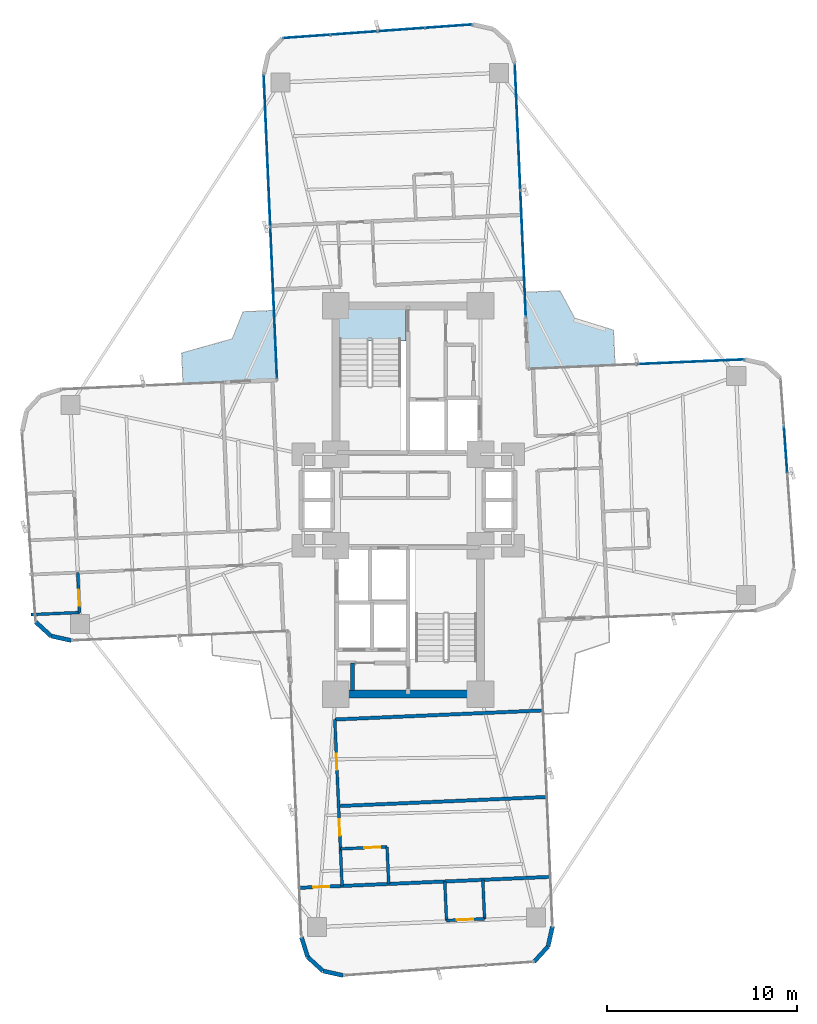
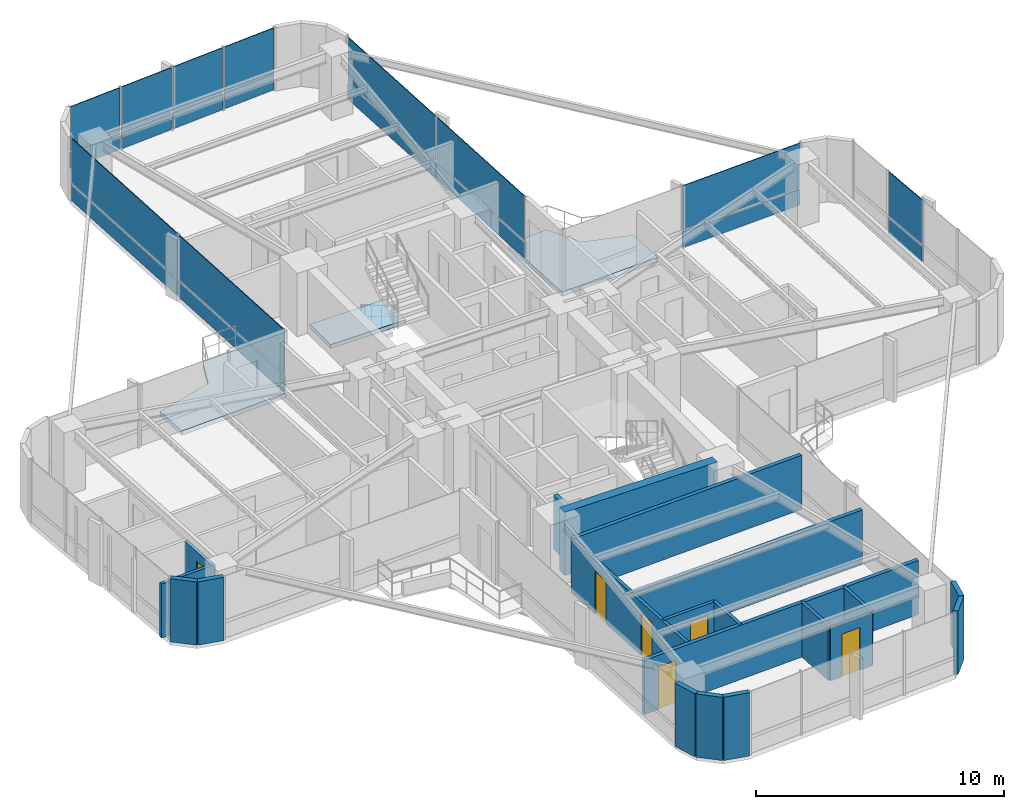
# One storey, part 22 of 26: 20 plates, 20 walls, 6 doors, 3 slabs, 6 openings, 5 elements without a shape of their own.
"""IFC4 building model written with IfcOpenShell, lengths in metres."""

from ifc_helpers import new_model, si_unit, direction, frame, frame_2d, origin, origin_2d, place, context, subcontext, project, spatial, polyline, rectangle, outline, extrude, source, transform, mapped, material, layer, layer_set, type_object, element, fill, aggregate, save


model = new_model("IFC4")

# Units and contexts
model_context = context("Model", 3, precision=1e-05, world=origin(), true_north=direction((0.0, 1.0)))
body_context = subcontext(model_context, "Body", "Model", "MODEL_VIEW")
ifc_project = project(units=[si_unit("LENGTHUNIT", "METRE"), si_unit("AREAUNIT", "SQUARE_METRE"), si_unit("VOLUMEUNIT", "CUBIC_METRE"), si_unit("PLANEANGLEUNIT", "RADIAN"), si_unit("MASSUNIT", "GRAM", prefix="KILO")], contexts=[model_context])

# Site, building, storey
site_placement = place(None, origin())
site = spatial("IfcSite", under=ifc_project, at=site_placement, CompositionType="ELEMENT")
building_placement = place(site_placement, origin())
building = spatial("IfcBuilding", under=site, at=building_placement, Name="Sahyath Konkavel Grand Hotel", CompositionType="ELEMENT")
storey_placement = place(building_placement, frame((0.0, 0.0, 111.449951171875)))
storey = spatial("IfcBuildingStorey", under=building, at=storey_placement, Name="L30", CompositionType="ELEMENT", Elevation=111.449951171875)

# Slabs
ifc_material_1 = material(Name="Concrete C40/50", Category="concrete")
ifc_layer_1 = layer(ifc_material_1, 0.219970703125)
ifc_layer_set_1 = layer_set([ifc_layer_1], Name="Concrete C40/50")
slab_type_1 = type_object("IfcSlabType", Name="SLB-BALCONY-220", PredefinedType="FLOOR", material=ifc_layer_set_1)
slab_1_placement = place(storey_placement, frame((0.0, 0.0, -0.219970703125)))
element("IfcSlab", 1, at=slab_1_placement, inside=storey, type_object=slab_type_1, Name="L30 Winter-Garden Balcony NE", PredefinedType="FLOOR", context=body_context, shape_type="SweptSolid", body=[
    extrude(outline(polyline([(6.305908203125, 6.881591796875), (10.869384765625, 7.080810546875), (10.7890625, 8.9208984375), (8.749755859375, 9.548583984375), (7.969970703125, 10.989990234375), (6.1298828125, 10.909912109375), (6.305908203125, 6.881591796875)])), origin(), (0.0, 0.0, 1.0), 0.219970703125),
])
slab_2_placement = place(storey_placement, frame((0.0, 0.0, -0.219970703125)))
element("IfcSlab", 2, at=slab_2_placement, inside=storey, type_object=slab_type_1, Name="L30 Winter-Garden Balcony NW", PredefinedType="FLOOR", context=body_context, shape_type="SweptSolid", body=[
    extrude(outline(polyline([(-6.881591796875, 6.305908203125), (-7.041015625, 9.955322265625), (-8.66650390625, 9.884521484375), (-9.238037109375, 8.465087890625), (-11.89501953125, 7.7158203125), (-11.823974609375, 6.090087890625), (-6.881591796875, 6.305908203125)])), origin(), (0.0, 0.0, 1.0), 0.219970703125),
])
ifc_layer_2 = layer(ifc_material_1, 0.199951171875)
ifc_layer_set_2 = layer_set([ifc_layer_2], Name="Concrete C40/50")
slab_type_2 = type_object("IfcSlabType", Name="SLB-STAIR-LND", PredefinedType="LANDING", material=ifc_layer_set_2)
slab_3_placement = place(storey_placement, frame((0.0, 0.0, -0.199951171875)))
element("IfcSlab", 3, at=slab_3_placement, inside=storey, type_object=slab_type_2, Name="L30 Stair ST-1 Floor Landing Slab", PredefinedType="LANDING", context=body_context, shape_type="SweptSolid", body=[
    extrude(outline(polyline([(-3.6201171875, 8.35009765625), (-0.10009765625, 8.35009765625), (-0.10009765625, 10.02001953125), (-3.6201171875, 10.02001953125), (-3.6201171875, 8.35009765625)])), origin(), (0.0, 0.0, 1.0), 0.199951171875),
])

# Curtain wall, plate
ifc_material_2 = material(Name="Anodised Bronze Aluminium & Low-E Glazing", Category="aluminium")
curtain_wall_type = type_object("IfcCurtainWallType", Name="CW-ZONE2", PredefinedType="NOTDEFINED", material=ifc_material_2)
curtain_wall_1_placement = place(storey_placement, origin())
curtain_wall_1 = element("IfcCurtainWall", 4, at=curtain_wall_1_placement, inside=storey, type_object=curtain_wall_type, Name="L30 Unitised Curtain Wall F4", PredefinedType="NOTDEFINED")
ifc_material_3 = material(Name="Warm Buff Sandstone Cladding", Category="masonry")
ifc_layer_3 = layer(ifc_material_3, 0.074951171875)
ifc_layer_set_3 = layer_set([ifc_layer_3], Name="Warm Buff Sandstone Cladding")
plate_type_1 = type_object("IfcPlateType", Name="PNL-SPANDREL-STONE", PredefinedType="SHEET", material=ifc_layer_set_3)
shared_shape_1 = source(origin(), body_context, "Body", "SweptSolid", [
    extrude(rectangle(XDim=2.41357421875, YDim=0.074951171875, at=origin_2d()), origin(), (0.0, 0.0, 1.0), 0.77001953125),
])
plate_1_placement = place(storey_placement, frame((19.828369140625, 2.638671875, 0.0400390625), z_axis=(0.0, 0.0, 1.0), x_axis=(-0.071567078661, 0.997435789037, 0.0)))
plate_1 = element("IfcPlate", 5, at=plate_1_placement, type_object=plate_type_1, Name="L30 Sandstone Relief Spandrel Panel F4-2", PredefinedType="SHEET", context=body_context, shape_type="MappedRepresentation", body=[
    mapped(shared_shape_1, transform((0.0, 0.0, 0.0), scale=1.0)),
])

# Curtain wall, plates
curtain_wall_2_placement = place(storey_placement, origin())
curtain_wall_2 = element("IfcCurtainWall", 6, at=curtain_wall_2_placement, inside=storey, type_object=curtain_wall_type, Name="L30 Unitised Curtain Wall F12", PredefinedType="NOTDEFINED")
plate_2_placement = place(storey_placement, frame((2.130615234375, 24.880615234375, 0.0400390625), z_axis=(0.0, 0.0, 1.0), x_axis=(-0.997435789037, -0.071567078661, 0.0)))
plate_2 = element("IfcPlate", 7, at=plate_2_placement, type_object=plate_type_1, Name="L30 Sandstone Relief Spandrel Panel F12-0", PredefinedType="SHEET", context=body_context, shape_type="MappedRepresentation", body=[
    mapped(shared_shape_1, transform((0.0, 0.0, 0.0), scale=1.0)),
])
plate_3_placement = place(storey_placement, frame((-0.356689453125, 24.7021484375, 0.0400390625), z_axis=(0.0, 0.0, 1.0), x_axis=(-0.997435789037, -0.071567078661, 0.0)))
plate_3 = element("IfcPlate", 8, at=plate_3_placement, type_object=plate_type_1, Name="L30 Sandstone Relief Spandrel Panel F12-1", PredefinedType="SHEET", context=body_context, shape_type="MappedRepresentation", body=[
    mapped(shared_shape_1, transform((0.0, 0.0, 0.0), scale=1.0)),
])
plate_4_placement = place(storey_placement, frame((-2.84375, 24.523681640625, 0.0400390625), z_axis=(0.0, 0.0, 1.0), x_axis=(-0.997435789037, -0.071567078661, 0.0)))
plate_4 = element("IfcPlate", 9, at=plate_4_placement, type_object=plate_type_1, Name="L30 Sandstone Relief Spandrel Panel F12-2", PredefinedType="SHEET", context=body_context, shape_type="MappedRepresentation", body=[
    mapped(shared_shape_1, transform((0.0, 0.0, 0.0), scale=1.0)),
])
plate_5_placement = place(storey_placement, frame((-5.330810546875, 24.34521484375, 0.0400390625), z_axis=(0.0, 0.0, 1.0), x_axis=(-0.997435789037, -0.071567078661, 0.0)))
plate_5 = element("IfcPlate", 10, at=plate_5_placement, type_object=plate_type_1, Name="L30 Sandstone Relief Spandrel Panel F12-3", PredefinedType="SHEET", context=body_context, shape_type="MappedRepresentation", body=[
    mapped(shared_shape_1, transform((0.0, 0.0, 0.0), scale=1.0)),
])

# Curtain wall, plate
curtain_wall_3_placement = place(storey_placement, origin())
curtain_wall_3 = element("IfcCurtainWall", 11, at=curtain_wall_3_placement, inside=storey, type_object=curtain_wall_type, Name="L30 Unitised Curtain Wall F7", PredefinedType="NOTDEFINED")
shared_shape_2 = source(origin(), body_context, "Body", "SweptSolid", [
    extrude(rectangle(XDim=5.580078125, YDim=0.074951171875, at=origin_2d()), origin(), (0.0, 0.0, 1.0), 0.77001953125),
])
plate_6_placement = place(storey_placement, frame((14.82763671875, 7.25390625, 0.0400390625), z_axis=(0.0, 0.0, 1.0), x_axis=(-0.999048221582, -0.043619387365, 0.0)))
plate_6 = element("IfcPlate", 12, at=plate_6_placement, type_object=plate_type_1, Name="L30 Sandstone Relief Spandrel Panel F7-0", PredefinedType="SHEET", context=body_context, shape_type="MappedRepresentation", body=[
    mapped(shared_shape_2, transform((0.0, 0.0, 0.0), scale=1.0)),
])

# Curtain wall, plates
curtain_wall_4_placement = place(storey_placement, origin())
curtain_wall_4 = element("IfcCurtainWall", 13, at=curtain_wall_4_placement, inside=storey, type_object=curtain_wall_type, Name="L30 Unitised Curtain Wall F8", PredefinedType="NOTDEFINED")
shared_shape_3 = source(origin(), body_context, "Body", "SweptSolid", [
    extrude(rectangle(XDim=6.580078125, YDim=0.074951171875, at=origin_2d()), origin(), (0.0, 0.0, 1.0), 0.77001953125),
])
plate_7_placement = place(storey_placement, frame((6.041015625, 12.94580078125, 0.0400390625), z_axis=(0.0, 0.0, 1.0), x_axis=(-0.043619387365, 0.999048221582, 0.0)))
plate_7 = element("IfcPlate", 14, at=plate_7_placement, type_object=plate_type_1, Name="L30 Sandstone Relief Spandrel Panel F8-0", PredefinedType="SHEET", context=body_context, shape_type="MappedRepresentation", body=[
    mapped(shared_shape_3, transform((0.0, 0.0, 0.0), scale=1.0)),
])
plate_8_placement = place(storey_placement, frame((5.75048828125, 19.599609375, 0.0400390625), z_axis=(0.0, 0.0, 1.0), x_axis=(-0.043619387365, 0.999048221582, 0.0)))
plate_8 = element("IfcPlate", 15, at=plate_8_placement, type_object=plate_type_1, Name="L30 Sandstone Relief Spandrel Panel F8-1", PredefinedType="SHEET", context=body_context, shape_type="MappedRepresentation", body=[
    mapped(shared_shape_3, transform((0.0, 0.0, 0.0), scale=1.0)),
])

curtain_wall_5_placement = place(storey_placement, origin())
curtain_wall_5 = element("IfcCurtainWall", 16, at=curtain_wall_5_placement, inside=storey, type_object=curtain_wall_type, Name="L30 Unitised Curtain Wall F15", PredefinedType="NOTDEFINED")
shared_shape_4 = source(origin(), body_context, "Body", "SweptSolid", [
    extrude(rectangle(XDim=7.929931640625, YDim=0.074951171875, at=origin_2d()), origin(), (0.0, 0.0, 1.0), 0.77001953125),
])
plate_9_placement = place(storey_placement, frame((-7.407470703125, 18.349365234375, 0.0400390625), z_axis=(0.0, 0.0, 1.0), x_axis=(0.043619387365, -0.999048221582, 0.0)))
plate_9 = element("IfcPlate", 17, at=plate_9_placement, type_object=plate_type_1, Name="L30 Sandstone Relief Spandrel Panel F15-0", PredefinedType="SHEET", context=body_context, shape_type="MappedRepresentation", body=[
    mapped(shared_shape_4, transform((0.0, 0.0, 0.0), scale=1.0)),
])
plate_10_placement = place(storey_placement, frame((-7.05810546875, 10.346923828125, 0.0400390625), z_axis=(0.0, 0.0, 1.0), x_axis=(0.043619387365, -0.999048221582, 0.0)))
plate_10 = element("IfcPlate", 18, at=plate_10_placement, type_object=plate_type_1, Name="L30 Sandstone Relief Spandrel Panel F15-1", PredefinedType="SHEET", context=body_context, shape_type="MappedRepresentation", body=[
    mapped(shared_shape_4, transform((0.0, 0.0, 0.0), scale=1.0)),
])

# Plate
ifc_material_4 = material(Name="Low-E Solar Control Double Glazing", Category="glass")
ifc_layer_4 = layer(ifc_material_4, 0.035888671875)
ifc_layer_set_4 = layer_set([ifc_layer_4], Name="Low-E Solar Control Double Glazing")
plate_type_2 = type_object("IfcPlateType", Name="PNL-VISION-LOWE", PredefinedType="CURTAIN_PANEL", material=ifc_layer_set_4)
shared_shape_5 = source(origin(), body_context, "Body", "SweptSolid", [
    extrude(rectangle(XDim=2.41357421875, YDim=0.035888671875, at=origin_2d()), origin(), (0.0, 0.0, 1.0), 2.179931640625),
])
plate_11_placement = place(storey_placement, frame((19.828369140625, 2.638671875, 0.89013671875), z_axis=(0.0, 0.0, 1.0), x_axis=(-0.071567078661, 0.997435789037, 0.0)))
plate_11 = element("IfcPlate", 19, at=plate_11_placement, type_object=plate_type_2, Name="L30 Low-E Vision Glazing Panel F4-2", PredefinedType="CURTAIN_PANEL", context=body_context, shape_type="MappedRepresentation", body=[
    mapped(shared_shape_5, transform((0.0, 0.0, 0.0), scale=1.0)),
])

aggregate(curtain_wall_1, [plate_1, plate_11])

plate_12_placement = place(storey_placement, frame((2.130615234375, 24.880615234375, 0.89013671875), z_axis=(0.0, 0.0, 1.0), x_axis=(-0.997435789037, -0.071567078661, 0.0)))
plate_12 = element("IfcPlate", 20, at=plate_12_placement, type_object=plate_type_2, Name="L30 Low-E Vision Glazing Panel F12-0", PredefinedType="CURTAIN_PANEL", context=body_context, shape_type="MappedRepresentation", body=[
    mapped(shared_shape_5, transform((0.0, 0.0, 0.0), scale=1.0)),
])

plate_13_placement = place(storey_placement, frame((-0.356689453125, 24.7021484375, 0.89013671875), z_axis=(0.0, 0.0, 1.0), x_axis=(-0.997435789037, -0.071567078661, 0.0)))
plate_13 = element("IfcPlate", 21, at=plate_13_placement, type_object=plate_type_2, Name="L30 Low-E Vision Glazing Panel F12-1", PredefinedType="CURTAIN_PANEL", context=body_context, shape_type="MappedRepresentation", body=[
    mapped(shared_shape_5, transform((0.0, 0.0, 0.0), scale=1.0)),
])

plate_14_placement = place(storey_placement, frame((-2.84375, 24.523681640625, 0.89013671875), z_axis=(0.0, 0.0, 1.0), x_axis=(-0.997435789037, -0.071567078661, 0.0)))
plate_14 = element("IfcPlate", 22, at=plate_14_placement, type_object=plate_type_2, Name="L30 Low-E Vision Glazing Panel F12-2", PredefinedType="CURTAIN_PANEL", context=body_context, shape_type="MappedRepresentation", body=[
    mapped(shared_shape_5, transform((0.0, 0.0, 0.0), scale=1.0)),
])

plate_15_placement = place(storey_placement, frame((-5.330810546875, 24.34521484375, 0.89013671875), z_axis=(0.0, 0.0, 1.0), x_axis=(-0.997435789037, -0.071567078661, 0.0)))
plate_15 = element("IfcPlate", 23, at=plate_15_placement, type_object=plate_type_2, Name="L30 Low-E Vision Glazing Panel F12-3", PredefinedType="CURTAIN_PANEL", context=body_context, shape_type="MappedRepresentation", body=[
    mapped(shared_shape_5, transform((0.0, 0.0, 0.0), scale=1.0)),
])

aggregate(curtain_wall_2, [plate_2, plate_12, plate_3, plate_13, plate_4, plate_14, plate_5, plate_15])

shared_shape_6 = source(origin(), body_context, "Body", "SweptSolid", [
    extrude(rectangle(XDim=5.580078125, YDim=0.035888671875, at=origin_2d()), origin(), (0.0, 0.0, 1.0), 2.179931640625),
])
plate_16_placement = place(storey_placement, frame((14.82763671875, 7.25390625, 0.89013671875), z_axis=(0.0, 0.0, 1.0), x_axis=(-0.999048221582, -0.043619387365, 0.0)))
plate_16 = element("IfcPlate", 24, at=plate_16_placement, type_object=plate_type_2, Name="L30 Low-E Vision Glazing Panel F7-0", PredefinedType="CURTAIN_PANEL", context=body_context, shape_type="MappedRepresentation", body=[
    mapped(shared_shape_6, transform((0.0, 0.0, 0.0), scale=1.0)),
])

aggregate(curtain_wall_3, [plate_6, plate_16])

shared_shape_7 = source(origin(), body_context, "Body", "SweptSolid", [
    extrude(rectangle(XDim=6.580078125, YDim=0.035888671875, at=origin_2d()), origin(), (0.0, 0.0, 1.0), 2.179931640625),
])
plate_17_placement = place(storey_placement, frame((6.041015625, 12.94580078125, 0.89013671875), z_axis=(0.0, 0.0, 1.0), x_axis=(-0.043619387365, 0.999048221582, 0.0)))
plate_17 = element("IfcPlate", 25, at=plate_17_placement, type_object=plate_type_2, Name="L30 Low-E Vision Glazing Panel F8-0", PredefinedType="CURTAIN_PANEL", context=body_context, shape_type="MappedRepresentation", body=[
    mapped(shared_shape_7, transform((0.0, 0.0, 0.0), scale=1.0)),
])

plate_18_placement = place(storey_placement, frame((5.75048828125, 19.599609375, 0.89013671875), z_axis=(0.0, 0.0, 1.0), x_axis=(-0.043619387365, 0.999048221582, 0.0)))
plate_18 = element("IfcPlate", 26, at=plate_18_placement, type_object=plate_type_2, Name="L30 Low-E Vision Glazing Panel F8-1", PredefinedType="CURTAIN_PANEL", context=body_context, shape_type="MappedRepresentation", body=[
    mapped(shared_shape_7, transform((0.0, 0.0, 0.0), scale=1.0)),
])

aggregate(curtain_wall_4, [plate_7, plate_17, plate_8, plate_18])

shared_shape_8 = source(origin(), body_context, "Body", "SweptSolid", [
    extrude(rectangle(XDim=7.929931640625, YDim=0.035888671875, at=origin_2d()), origin(), (0.0, 0.0, 1.0), 2.179931640625),
])
plate_19_placement = place(storey_placement, frame((-7.407470703125, 18.349365234375, 0.89013671875), z_axis=(0.0, 0.0, 1.0), x_axis=(0.043619387365, -0.999048221582, 0.0)))
plate_19 = element("IfcPlate", 27, at=plate_19_placement, type_object=plate_type_2, Name="L30 Low-E Vision Glazing Panel F15-0", PredefinedType="CURTAIN_PANEL", context=body_context, shape_type="MappedRepresentation", body=[
    mapped(shared_shape_8, transform((0.0, 0.0, 0.0), scale=1.0)),
])

plate_20_placement = place(storey_placement, frame((-7.05810546875, 10.346923828125, 0.89013671875), z_axis=(0.0, 0.0, 1.0), x_axis=(0.043619387365, -0.999048221582, 0.0)))
plate_20 = element("IfcPlate", 28, at=plate_20_placement, type_object=plate_type_2, Name="L30 Low-E Vision Glazing Panel F15-1", PredefinedType="CURTAIN_PANEL", context=body_context, shape_type="MappedRepresentation", body=[
    mapped(shared_shape_8, transform((0.0, 0.0, 0.0), scale=1.0)),
])

aggregate(curtain_wall_5, [plate_9, plate_19, plate_10, plate_20])

# Walls
ifc_material_5 = material(Name="Concrete C50/60", Category="concrete")
ifc_layer_5 = layer(ifc_material_5, 0.419921875)
ifc_layer_set_5 = layer_set([ifc_layer_5], Name="Concrete C50/60")
wall_type_1 = type_object("IfcWallType", Name="CWALL-420", PredefinedType="SHEAR", material=ifc_layer_set_5)
wall_1_placement = place(storey_placement, frame((-3.550048828125, -10.199951171875, 0.0), z_axis=(0.0, 0.0, 1.0), x_axis=(1.0, 0.0, 0.0)))
element("IfcWall", 29, at=wall_1_placement, inside=storey, type_object=wall_type_1, Name="L30 South Core Shear Wall S", PredefinedType="SHEAR", context=body_context, shape_type="SweptSolid", body=[
    extrude(rectangle(XDim=7.10009765625, YDim=0.419921875, at=frame_2d((3.550048828125, 0.0))), origin(), (0.0, 0.0, 1.0), 3.110107421875),
])
ifc_material_6 = material(Name="Warm Buff Sandstone Insulated Concrete C40/50", Category="masonry")
ifc_layer_6 = layer(ifc_material_6, 0.219970703125)
ifc_layer_set_6 = layer_set([ifc_layer_6], Name="Warm Buff Sandstone Insulated Concrete C40/50")
wall_type_2 = type_object("IfcWallType", Name="WLL-BALC-THRESH", PredefinedType="STANDARD", material=ifc_layer_set_6)
wall_2_placement = place(storey_placement, frame((-19.5576171875, -6.4091796875, 0.0), z_axis=(0.0, 0.0, 1.0), x_axis=(0.737210081318, -0.675663596772, 0.0)))
element("IfcWall", 30, at=wall_2_placement, inside=storey, type_object=wall_type_2, Name="L30 Rounded Corner Sandstone Pier 21", PredefinedType="STANDARD", context=body_context, shape_type="SweptSolid", body=[
    extrude(rectangle(XDim=1.0869140625, YDim=0.219970703125, at=frame_2d((0.54345703125, 0.0))), origin(), (0.0, 0.0, 1.0), 3.110107421875),
])
wall_3_placement = place(storey_placement, frame((-18.75634765625, -7.1435546875, 0.0), z_axis=(0.0, 0.0, 1.0), x_axis=(0.976282085775, -0.216502399514, 0.0)))
element("IfcWall", 31, at=wall_3_placement, inside=storey, type_object=wall_type_2, Name="L30 Rounded Corner Sandstone Pier 22", PredefinedType="STANDARD", context=body_context, shape_type="SweptSolid", body=[
    extrude(rectangle(XDim=1.087158203125, YDim=0.219970703125, at=frame_2d((0.54345703125, 0.0))), origin(), (0.0, 0.0, 1.0), 3.110107421875),
])
wall_4_placement = place(storey_placement, frame((-5.603515625, -22.96630859375, 0.0), z_axis=(0.0, 0.0, 1.0), x_axis=(0.300755105707, -0.953701403161, 0.0)))
element("IfcWall", 32, at=wall_4_placement, inside=storey, type_object=wall_type_2, Name="L30 Rounded Corner Sandstone Pier 25", PredefinedType="STANDARD", context=body_context, shape_type="SweptSolid", body=[
    extrude(rectangle(XDim=1.0869140625, YDim=0.219970703125, at=frame_2d((0.54345703125, 0.0))), origin(), (0.0, 0.0, 1.0), 3.110107421875),
])
wall_5_placement = place(storey_placement, frame((-5.276611328125, -24.0029296875, 0.0), z_axis=(0.0, 0.0, 1.0), x_axis=(0.737312600672, -0.675551721847, 0.0)))
element("IfcWall", 33, at=wall_5_placement, inside=storey, type_object=wall_type_2, Name="L30 Rounded Corner Sandstone Pier 26", PredefinedType="STANDARD", context=body_context, shape_type="SweptSolid", body=[
    extrude(rectangle(XDim=1.087158203125, YDim=0.219970703125, at=frame_2d((0.54345703125, 0.0))), origin(), (0.0, 0.0, 1.0), 3.110107421875),
])
for number, where, z_axis, x_axis, name in (
    (34, (-4.47509765625, -24.7373046875, 0.0), (0.0, 0.0, 1.0), (0.976271555154, -0.216549880158, 0.0), "L30 Rounded Corner Sandstone Pier 27"),
    (35, (6.6142578125, -24.253173828125, 0.0), (0.0, 0.0, 1.0), (0.675663596772, 0.737210081318, 0.0), "L30 Rounded Corner Sandstone Pier 29"),
):
    element("IfcWall", number, at=place(storey_placement, frame(where, z_axis=z_axis, x_axis=x_axis)), inside=storey, type_object=wall_type_2, Name=name, PredefinedType="STANDARD", context=body_context, shape_type="SweptSolid", body=[
        extrude(rectangle(XDim=1.0869140625, YDim=0.219970703125, at=frame_2d((0.54345703125, 0.0))), origin(), (0.0, 0.0, 1.0), 3.110107421875),
    ])
wall_6_placement = place(storey_placement, frame((7.3486328125, -23.451904296875, 0.0), z_axis=(0.0, 0.0, 1.0), x_axis=(0.216454939174, 0.976292609471, 0.0)))
element("IfcWall", 36, at=wall_6_placement, inside=storey, type_object=wall_type_2, Name="L30 Rounded Corner Sandstone Pier 30", PredefinedType="STANDARD", context=body_context, shape_type="SweptSolid", body=[
    extrude(rectangle(XDim=1.08740234375, YDim=0.219970703125, at=frame_2d((0.543701171875, 0.0))), origin(), (0.0, 0.0, 1.0), 3.110107421875),
])
ifc_layer_7 = layer(ifc_material_1, 0.199951171875)
ifc_layer_set_7 = layer_set([ifc_layer_7], Name="Concrete C40/50")
wall_type_3 = type_object("IfcWallType", Name="WLL-CORE-200", PredefinedType="SOLIDWALL", material=ifc_layer_set_7)
wall_7_placement = place(storey_placement, frame((-2.919921875, -10.0, 0.0), z_axis=(0.0, 0.0, 1.0), x_axis=(0.0, 1.0, 0.0)))
element("IfcWall", 37, at=wall_7_placement, inside=storey, type_object=wall_type_3, Name="L30 Partition SFF-W2", PredefinedType="SOLIDWALL", context=body_context, shape_type="SweptSolid", body=[
    extrude(rectangle(XDim=1.43994140625, YDim=0.199951171875, at=frame_2d((0.719970703125, 0.0))), origin(), (0.0, 0.0, 1.0), 2.66015625),
])
ifc_material_7 = material(Name="Twin-Stud Acoustic Gypsum Plasterboard Partition")
ifc_layer_8 = layer(ifc_material_7, 0.179931640625)
ifc_layer_set_8 = layer_set([ifc_layer_8], Name="Twin-Stud Acoustic Gypsum Plasterboard Partition")
wall_type_4 = type_object("IfcWallType", Name="WLL-DEMISE-180", PredefinedType="PARTITIONING", material=ifc_layer_set_8)
wall_8_placement = place(storey_placement, frame((-3.850830078125, -11.52880859375, 0.0), z_axis=(0.0, 0.0, 1.0), x_axis=(0.999048663393, 0.043609267053, 0.0)))
element("IfcWall", 38, at=wall_8_placement, inside=storey, type_object=wall_type_4, Name="L30 Partition S-G6I", PredefinedType="PARTITIONING", context=body_context, shape_type="SweptSolid", body=[
    extrude(rectangle(XDim=10.89990234375, YDim=0.179931640625, at=frame_2d((5.449951171875, 0.0))), origin(), (0.0, 0.0, 1.0), 2.66015625),
])
wall_9_placement = place(storey_placement, frame((-3.65234375, -16.07470703125, 0.0), z_axis=(0.0, 0.0, 1.0), x_axis=(0.999047687305, 0.043631622609, 0.0)))
element("IfcWall", 39, at=wall_9_placement, inside=storey, type_object=wall_type_4, Name="L30 Partition S-SSL6-DEM", PredefinedType="PARTITIONING", context=body_context, shape_type="SweptSolid", body=[
    extrude(rectangle(XDim=10.900146484375, YDim=0.179931640625, at=frame_2d((5.4501953125, 0.0))), origin(), (0.0, 0.0, 1.0), 2.66015625),
])

# Wall, opening, door
wall_10_placement = place(storey_placement, frame((-5.6669921875, -20.36669921875, 0.0), z_axis=(0.0, 0.0, 1.0), x_axis=(0.999047806124, 0.043628901879, 0.0)))
wall_10 = element("IfcWall", 40, at=wall_10_placement, inside=storey, type_object=wall_type_4, Name="L30 Partition S-STIP-END", PredefinedType="PARTITIONING", context=body_context, shape_type="SweptSolid", body=[
    extrude(rectangle(XDim=13.099853515625, YDim=0.179931640625, at=frame_2d((6.5498046875, 0.0))), origin(), (0.0, 0.0, 1.0), 2.66015625),
])
opening_1_placement = place(wall_10_placement, frame((0.675048828125, 0.0, 0.0)))
opening_1 = element("IfcOpeningElement", 41, at=opening_1_placement, cuts=wall_10, Name="Opening D-F06D", PredefinedType="OPENING", context=body_context, shape_type="SweptSolid", body=[
    extrude(rectangle(XDim=0.85009765625, YDim=2.10009765625, at=frame_2d((0.425048828125, 1.050048828125))), frame((0.0, 0.10009765625, 0.0), z_axis=(0.0, -1.0, 0.0), x_axis=(1.0, 0.0, 0.0)), (0.0, 0.0, 1.0), 0.199951171875),
])
ifc_material_8 = material(Name="Fire-Rated Shaft Access Door")
door_type_1 = type_object("IfcDoorType", Name="DR-FD60-850", OperationType="NOTDEFINED", PredefinedType="DOOR", material=ifc_material_8)
shared_shape_9 = source(origin(), body_context, "Body", "SweptSolid", [
    extrude(rectangle(XDim=0.85009765625, YDim=0.050048828125, at=origin_2d()), origin(), (0.0, 0.0, 1.0), 2.10009765625),
])
door_1_placement = place(opening_1_placement, frame((0.425048828125, 0.0, 0.0)))
door_1 = element("IfcDoor", 42, at=door_1_placement, inside=storey, type_object=door_type_1, Name="L30 Door S-STIP-ED", OperationType="SINGLE_SWING_RIGHT", OverallHeight=2.10009765625, OverallWidth=0.85009765625, PredefinedType="DOOR", context=body_context, shape_type="MappedRepresentation", body=[
    mapped(shared_shape_9, transform((0.0, 0.0, 0.0), scale=1.0)),
])
fill(opening_1, door_1)

ifc_material_9 = material(Name="Fire-Rated Gypsum Plasterboard Partition")
ifc_layer_9 = layer(ifc_material_9, 0.14990234375)
ifc_layer_set_9 = layer_set([ifc_layer_9], Name="Fire-Rated Gypsum Plasterboard Partition")
wall_type_5 = type_object("IfcWallType", Name="WLL-PART-150", PredefinedType="PARTITIONING", material=ifc_layer_set_9)
wall_11_placement = place(storey_placement, frame((-17.350341796875, -3.810302734375, 0.0), z_axis=(0.0, 0.0, 1.0), x_axis=(0.043593612401, -0.999049346608, 0.0)))
wall_11 = element("IfcWall", 43, at=wall_11_placement, inside=storey, type_object=wall_type_5, Name="L30 Partition W-W2L-BS", PredefinedType="PARTITIONING", context=body_context, shape_type="SweptSolid", body=[
    extrude(rectangle(XDim=2.10009765625, YDim=0.14990234375, at=frame_2d((1.050048828125, 0.0))), origin(), (0.0, 0.0, 1.0), 2.580078125),
])
opening_2_placement = place(wall_11_placement, frame((0.89990234375, 0.0, 0.0)))
opening_2 = element("IfcOpeningElement", 44, at=opening_2_placement, cuts=wall_11, Name="Opening D-BT85", PredefinedType="OPENING", context=body_context, shape_type="SweptSolid", body=[
    extrude(rectangle(XDim=0.85009765625, YDim=2.10009765625, at=frame_2d((0.425048828125, 1.050048828125))), frame((0.0, 0.0849609375, 0.0), z_axis=(0.0, -1.0, 0.0), x_axis=(1.0, 0.0, 0.0)), (0.0, 0.0, 1.0), 0.169921875),
])
ifc_material_10 = material(Name="Moisture-Resistant Teak Bathroom Door")
door_type_2 = type_object("IfcDoorType", Name="DR-BATH-850", OperationType="NOTDEFINED", PredefinedType="DOOR", material=ifc_material_10)
door_2_placement = place(opening_2_placement, frame((0.425048828125, 0.0, 0.0)))
door_2 = element("IfcDoor", 45, at=door_2_placement, inside=storey, type_object=door_type_2, Name="L30 Door W-W2L-BD", OperationType="SINGLE_SWING_LEFT", OverallHeight=2.10009765625, OverallWidth=0.85009765625, PredefinedType="DOOR", context=body_context, shape_type="MappedRepresentation", body=[
    mapped(shared_shape_9, transform((0.0, 0.0, 0.0), scale=1.0)),
])
fill(opening_2, door_2)

# Wall
wall_12_placement = place(storey_placement, frame((-17.2587890625, -5.908447265625, 0.0), z_axis=(0.0, 0.0, 1.0), x_axis=(-0.999046560091, -0.043657425146, 0.0)))
element("IfcWall", 46, at=wall_12_placement, inside=storey, type_object=wall_type_5, Name="L30 Partition W-W2L-BF", PredefinedType="PARTITIONING", context=body_context, shape_type="SweptSolid", body=[
    extrude(rectangle(XDim=2.550048828125, YDim=0.14990234375, at=frame_2d((1.27490234375, 0.0))), origin(), (0.0, 0.0, 1.0), 2.66015625),
])

# Wall, openings, doors
wall_13_placement = place(storey_placement, frame((-3.850830078125, -11.52880859375, 0.0), z_axis=(0.0, 0.0, 1.0), x_axis=(0.043638220751, -0.999047399121, 0.0)))
wall_13 = element("IfcWall", 47, at=wall_13_placement, inside=storey, type_object=wall_type_5, Name="L30 Partition S-G6W", PredefinedType="PARTITIONING", context=body_context, shape_type="SweptSolid", body=[
    extrude(rectangle(XDim=8.75, YDim=0.14990234375, at=frame_2d((4.375, 0.0))), origin(), (0.0, 0.0, 1.0), 2.630126953125),
])
opening_3_placement = place(wall_13_placement, frame((1.800048828125, 0.0, 0.0)))
opening_3 = element("IfcOpeningElement", 48, at=opening_3_placement, cuts=wall_13, Name="Opening D-F06D", PredefinedType="OPENING", context=body_context, shape_type="SweptSolid", body=[
    extrude(rectangle(XDim=0.85009765625, YDim=2.10009765625, at=frame_2d((0.425048828125, 1.050048828125))), frame((0.0, 0.0849609375, 0.0), z_axis=(0.0, -1.0, 0.0), x_axis=(1.0, 0.0, 0.0)), (0.0, 0.0, 1.0), 0.169921875),
])
opening_4_placement = place(wall_13_placement, frame((5.25, 0.0, 0.0)))
opening_4 = element("IfcOpeningElement", 49, at=opening_4_placement, cuts=wall_13, Name="Opening D-F06D", PredefinedType="OPENING", context=body_context, shape_type="SweptSolid", body=[
    extrude(rectangle(XDim=0.85009765625, YDim=2.10009765625, at=frame_2d((0.425048828125, 1.050048828125))), frame((0.0, 0.0849609375, 0.0), z_axis=(0.0, -1.0, 0.0), x_axis=(1.0, 0.0, 0.0)), (0.0, 0.0, 1.0), 0.169921875),
])
door_3_placement = place(opening_3_placement, frame((0.425048828125, 0.0, 0.0)))
door_3 = element("IfcDoor", 50, at=door_3_placement, inside=storey, type_object=door_type_1, Name="L30 Door S-SSL6-D", OperationType="SINGLE_SWING_RIGHT", OverallHeight=2.10009765625, OverallWidth=0.85009765625, PredefinedType="DOOR", context=body_context, shape_type="MappedRepresentation", body=[
    mapped(shared_shape_9, transform((0.0, 0.0, 0.0), scale=1.0)),
])
fill(opening_3, door_3)
door_4_placement = place(opening_4_placement, frame((0.425048828125, 0.0, 0.0)))
door_4 = element("IfcDoor", 51, at=door_4_placement, inside=storey, type_object=door_type_1, Name="L30 Door S-SD6-ED", OperationType="SINGLE_SWING_RIGHT", OverallHeight=2.10009765625, OverallWidth=0.85009765625, PredefinedType="DOOR", context=body_context, shape_type="MappedRepresentation", body=[
    mapped(shared_shape_9, transform((0.0, 0.0, 0.0), scale=1.0)),
])
fill(opening_4, door_4)

# Wall, opening, door
wall_14_placement = place(storey_placement, frame((-3.55419921875, -18.322509765625, 0.0), z_axis=(0.0, 0.0, 1.0), x_axis=(0.999047112283, 0.043644787072, 0.0)))
wall_14 = element("IfcWall", 52, at=wall_14_placement, inside=storey, type_object=wall_type_5, Name="L30 Partition S-SD6-BS", PredefinedType="PARTITIONING", context=body_context, shape_type="SweptSolid", body=[
    extrude(rectangle(XDim=2.4501953125, YDim=0.14990234375, at=frame_2d((1.22509765625, 0.0))), origin(), (0.0, 0.0, 1.0), 2.66015625),
])
opening_5_placement = place(wall_14_placement, frame((1.25, 0.0, 0.0)))
opening_5 = element("IfcOpeningElement", 53, at=opening_5_placement, cuts=wall_14, Name="Opening D-BT85", PredefinedType="OPENING", context=body_context, shape_type="SweptSolid", body=[
    extrude(rectangle(XDim=0.85009765625, YDim=2.10009765625, at=frame_2d((0.425048828125, 1.050048828125))), frame((0.0, 0.0849609375, 0.0), z_axis=(0.0, -1.0, 0.0), x_axis=(1.0, 0.0, 0.0)), (0.0, 0.0, 1.0), 0.169921875),
])
door_5_placement = place(opening_5_placement, frame((0.425048828125, 0.0, 0.0)))
door_5 = element("IfcDoor", 54, at=door_5_placement, inside=storey, type_object=door_type_2, Name="L30 Door S-SD6-BD", OperationType="SINGLE_SWING_LEFT", OverallHeight=2.10009765625, OverallWidth=0.85009765625, PredefinedType="DOOR", context=body_context, shape_type="MappedRepresentation", body=[
    mapped(shared_shape_9, transform((0.0, 0.0, 0.0), scale=1.0)),
])
fill(opening_5, door_5)

# Walls
wall_15_placement = place(storey_placement, frame((-1.1064453125, -18.215576171875, 0.0), z_axis=(0.0, 0.0, 1.0), x_axis=(0.043567614947, -0.99905048067, 0.0)))
element("IfcWall", 55, at=wall_15_placement, inside=storey, type_object=wall_type_5, Name="L30 Partition S-SD6-BF", PredefinedType="PARTITIONING", context=body_context, shape_type="SweptSolid", body=[
    extrude(rectangle(XDim=1.9501953125, YDim=0.14990234375, at=frame_2d((0.97509765625, 0.0))), origin(), (0.0, 0.0, 1.0), 2.66015625),
])
wall_16_placement = place(storey_placement, frame((3.923828125, -19.94775390625, 0.0), z_axis=(0.0, 0.0, 1.0), x_axis=(0.043587097972, -0.999049630844, 0.0)))
element("IfcWall", 56, at=wall_16_placement, inside=storey, type_object=wall_type_5, Name="L30 Partition S-STIP-BN", PredefinedType="PARTITIONING", context=body_context, shape_type="SweptSolid", body=[
    extrude(rectangle(XDim=2.050048828125, YDim=0.14990234375, at=frame_2d((1.02490234375, 0.0))), origin(), (0.0, 0.0, 1.0), 2.66015625),
])
wall_17_placement = place(storey_placement, frame((1.92578125, -20.03515625, 0.0), z_axis=(0.0, 0.0, 1.0), x_axis=(0.043592284462, -0.999049404552, 0.0)))
element("IfcWall", 57, at=wall_17_placement, inside=storey, type_object=wall_type_5, Name="L30 Partition S-STIP-BS", PredefinedType="PARTITIONING", context=body_context, shape_type="SweptSolid", body=[
    extrude(rectangle(XDim=2.0498046875, YDim=0.14990234375, at=frame_2d((1.02490234375, 0.0))), origin(), (0.0, 0.0, 1.0), 2.66015625),
])

# Wall, opening, door
wall_18_placement = place(storey_placement, frame((2.01513671875, -22.0830078125, 0.0), z_axis=(0.0, 0.0, 1.0), x_axis=(0.999049929275, 0.043580257179, 0.0)))
wall_18 = element("IfcWall", 58, at=wall_18_placement, inside=storey, type_object=wall_type_5, Name="L30 Partition S-STIP-BE", PredefinedType="PARTITIONING", context=body_context, shape_type="SweptSolid", body=[
    extrude(rectangle(XDim=2.0, YDim=0.14990234375, at=frame_2d((1.0, 0.0))), origin(), (0.0, 0.0, 1.0), 2.580078125),
])
opening_6_placement = place(wall_18_placement, frame((0.550048828125, 0.0, 0.0)))
opening_6 = element("IfcOpeningElement", 59, at=opening_6_placement, cuts=wall_18, Name="Opening D-BT85", PredefinedType="OPENING", context=body_context, shape_type="SweptSolid", body=[
    extrude(rectangle(XDim=0.85009765625, YDim=2.10009765625, at=frame_2d((0.425048828125, 1.050048828125))), frame((0.0, 0.0849609375, 0.0), z_axis=(0.0, -1.0, 0.0), x_axis=(1.0, 0.0, 0.0)), (0.0, 0.0, 1.0), 0.169921875),
])
door_6_placement = place(opening_6_placement, frame((0.425048828125, 0.0, 0.0)))
door_6 = element("IfcDoor", 60, at=door_6_placement, inside=storey, type_object=door_type_2, Name="L30 Door S-STIP-BD", OperationType="SINGLE_SWING_LEFT", OverallHeight=2.10009765625, OverallWidth=0.85009765625, PredefinedType="DOOR", context=body_context, shape_type="MappedRepresentation", body=[
    mapped(shared_shape_9, transform((0.0, 0.0, 0.0), scale=1.0)),
])
fill(opening_6, door_6)

save(model, "model.ifc")
